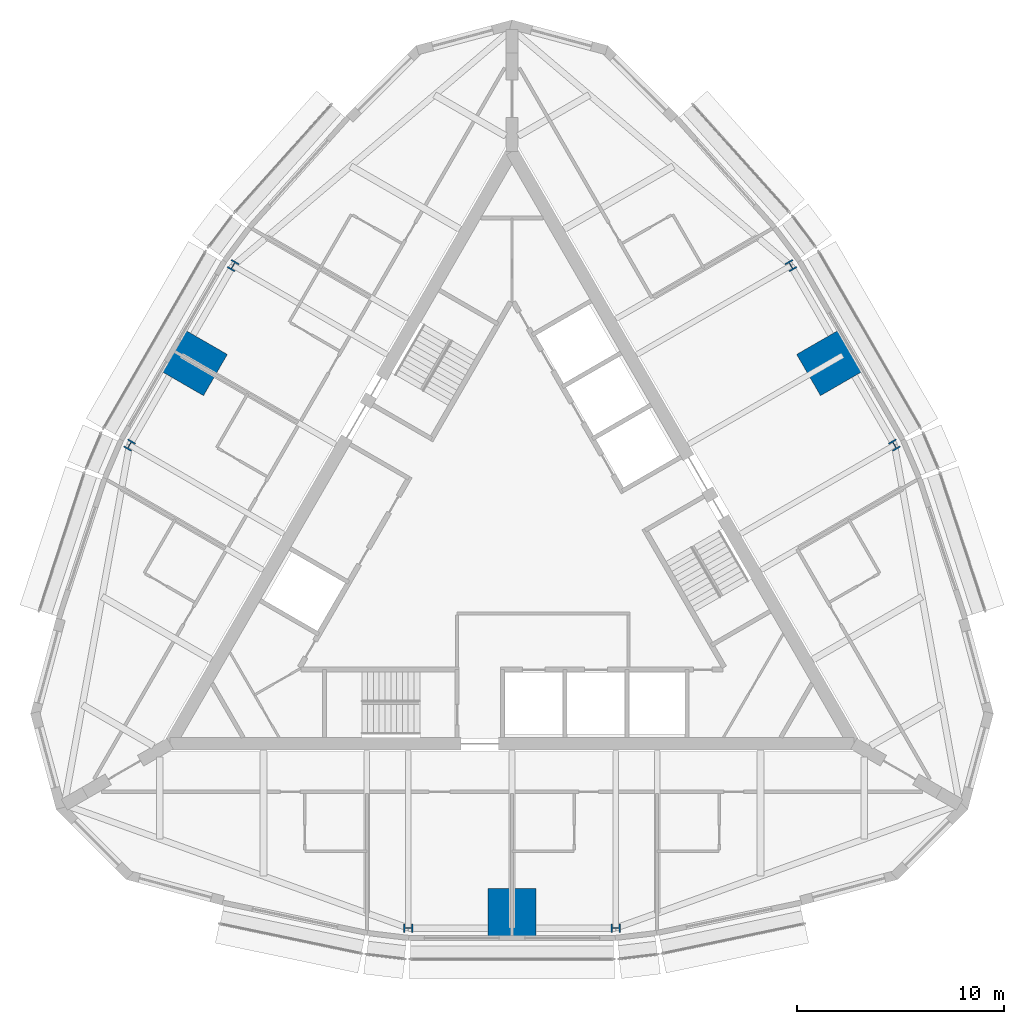
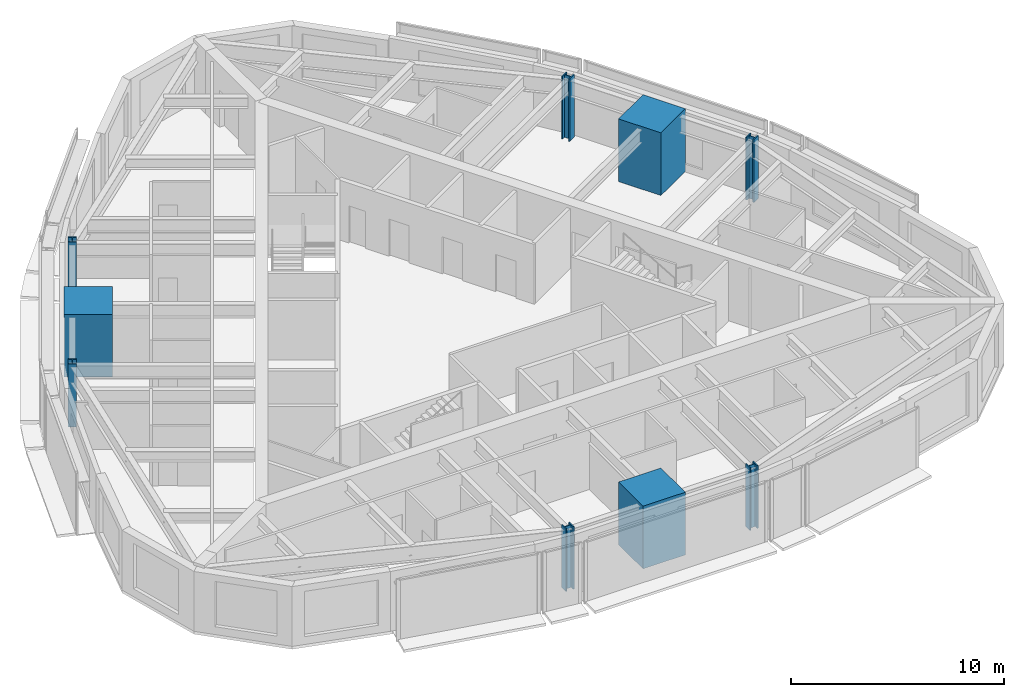
# One storey, part 1 of 12: 9 columns.
"""IFC4 building model written with IfcOpenShell, lengths in metres."""

from ifc_helpers import new_model, si_unit, direction, frame, origin, origin_2d, place, context, subcontext, project, spatial, rectangle, i_section, extrude, material, material_profile, profile_set, type_object, element, save


model = new_model("IFC4")

# Units and contexts
model_context = context("Model", 3, precision=1e-05, world=origin(), true_north=direction((0.0, 1.0)))
body_context = subcontext(model_context, "Body", "Model", "MODEL_VIEW")
ifc_project = project(units=[si_unit("LENGTHUNIT", "METRE"), si_unit("AREAUNIT", "SQUARE_METRE"), si_unit("VOLUMEUNIT", "CUBIC_METRE"), si_unit("PLANEANGLEUNIT", "RADIAN"), si_unit("MASSUNIT", "GRAM", prefix="KILO")], contexts=[model_context])

# Site, building, storey
site_placement = place(None, origin())
site = spatial("IfcSite", under=ifc_project, at=site_placement, CompositionType="ELEMENT")
building_placement = place(site_placement, origin())
building = spatial("IfcBuilding", under=site, at=building_placement, Name="Trikona Tower", CompositionType="ELEMENT")
storey_placement = place(building_placement, frame((0.0, 0.0, 246.5)))
storey = spatial("IfcBuildingStorey", under=building, at=storey_placement, Name="L65", CompositionType="ELEMENT", Elevation=246.5)

# Columns
ifc_material_1 = material(Name="Concrete f'c 10000 psi with encased steel section", Category="concrete")
ifc_material_profile_1 = material_profile(ifc_material_1, rectangle(XDim=2.300048828125, YDim=2.300048828125, at=origin_2d()), Name="MC2300")
ifc_profile_set_1 = profile_set([ifc_material_profile_1], Name="Concrete f'c 10000 psi with encased steel section")
column_type_1 = type_object("IfcColumnType", Name="Composite mega column 2300x2300", PredefinedType="COLUMN", material=ifc_profile_set_1)
for number, where, z_axis, x_axis, name in (
    (1, (0.0, -17.680419921875, 0.0), (0.0, 0.0, 1.0), (0.0, -1.0, 0.0), "Mega column MC1"),
    (2, (15.311767578125, 8.84033203125, 0.0), (0.0, 0.0, 1.0), (0.866025403784, 0.5, 0.0), "Mega column MC2"),
    (3, (-15.311767578125, 8.84033203125, 0.0), (0.0, 0.0, 1.0), (-0.866025403784, 0.5, 0.0), "Mega column MC3"),
):
    element("IfcColumn", number, at=place(storey_placement, frame(where, z_axis=z_axis, x_axis=x_axis)), inside=storey, type_object=column_type_1, Name=name, PredefinedType="COLUMN", context=body_context, shape_type="SweptSolid", body=[
        extrude(rectangle(XDim=2.300048828125, YDim=2.300048828125, at=origin_2d()), origin(), (0.0, 0.0, 1.0), 3.60009765625),
    ])
ifc_material_2 = material(Name="Steel ASTM A992 Grade 50", Category="steel")
ifc_material_profile_2 = material_profile(ifc_material_2, i_section(OverallWidth=0.419189453125, OverallDepth=0.45458984375, WebThickness=0.042236328125, FlangeThickness=0.067626953125, at=origin_2d()), Name="W14X370")
ifc_profile_set_2 = profile_set([ifc_material_profile_2], Name="Steel ASTM A992 Grade 50")
column_type_2 = type_object("IfcColumnType", Name="Steel column W14x370", PredefinedType="COLUMN", material=ifc_profile_set_2)
for number, where, z_axis, x_axis, name in (
    (4, (-5.0, -18.430419921875, 0.0), (0.0, 0.0, 1.0), (0.0, -1.0, 0.0), "Column F0m5"),
    (5, (5.0, -18.430419921875, 0.0), (0.0, 0.0, 1.0), (0.0, -1.0, 0.0), "Column F0p5"),
    (6, (18.461181640625, 4.885009765625, 0.0), (0.0, 0.0, 1.0), (0.866025403784, 0.5, 0.0), "Column F1m5"),
    (7, (13.461181640625, 13.54541015625, 0.0), (0.0, 0.0, 1.0), (0.866025403784, 0.5, 0.0), "Column F1p5"),
    (8, (-13.461181640625, 13.54541015625, 0.0), (0.0, 0.0, 1.0), (-0.866025403784, 0.5, 0.0), "Column F2m5"),
    (9, (-18.461181640625, 4.885009765625, 0.0), (0.0, 0.0, 1.0), (-0.866025403784, 0.5, 0.0), "Column F2p5"),
):
    element("IfcColumn", number, at=place(storey_placement, frame(where, z_axis=z_axis, x_axis=x_axis)), inside=storey, type_object=column_type_2, Name=name, PredefinedType="COLUMN", context=body_context, shape_type="SweptSolid", body=[
        extrude(i_section(OverallWidth=0.419189453125, OverallDepth=0.45458984375, WebThickness=0.042236328125, FlangeThickness=0.067626953125, at=origin_2d()), origin(), (0.0, 0.0, 1.0), 3.60009765625),
    ])

save(model, "model.ifc")
